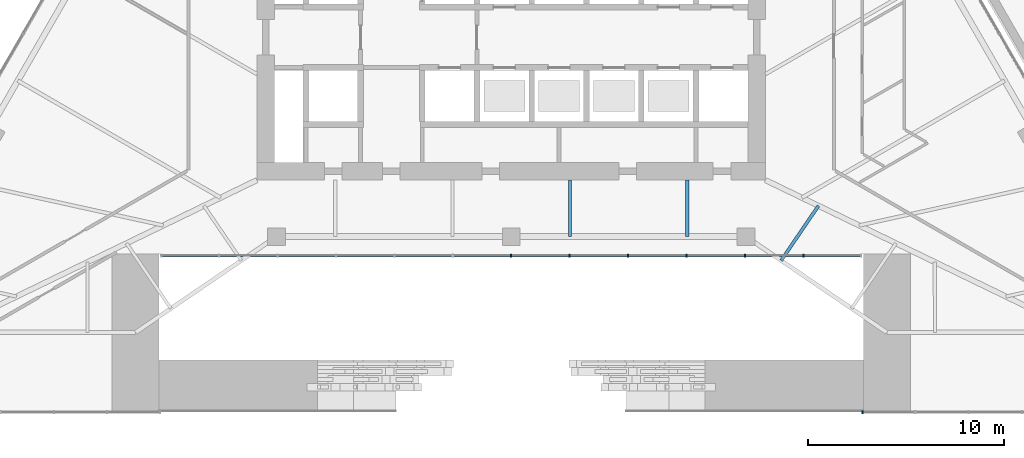
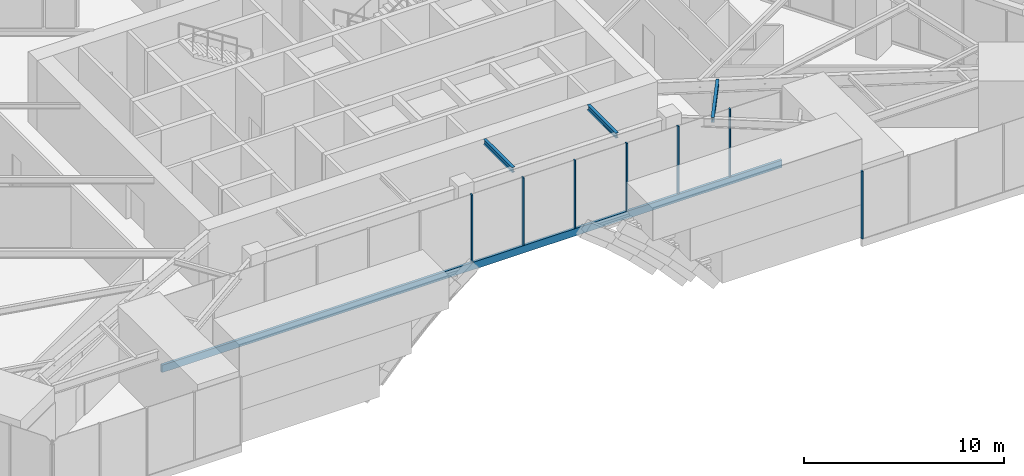
# One storey, part 5 of 23: 8 members, 3 beams, 2 elements without a shape of their own.
"""IFC4 building model written with IfcOpenShell, lengths in metres."""

from ifc_helpers import new_model, si_unit, direction, frame, origin, origin_2d, place, context, subcontext, project, spatial, rectangle, i_section, extrude, material, layer, layer_set, material_profile, profile_set, type_object, element, aggregate, save


model = new_model("IFC4")

# Units and contexts
model_context = context("Model", 3, precision=1e-05, world=origin(), true_north=direction((0.0, 1.0)))
body_context = subcontext(model_context, "Body", "Model", "MODEL_VIEW")
ifc_project = project(units=[si_unit("LENGTHUNIT", "METRE"), si_unit("AREAUNIT", "SQUARE_METRE"), si_unit("VOLUMEUNIT", "CUBIC_METRE"), si_unit("PLANEANGLEUNIT", "RADIAN"), si_unit("MASSUNIT", "GRAM", prefix="KILO")], contexts=[model_context])

# Site, building, storey
site_placement = place(None, origin())
site = spatial("IfcSite", under=ifc_project, at=site_placement, CompositionType="ELEMENT")
building_placement = place(site_placement, origin())
building = spatial("IfcBuilding", under=site, at=building_placement, Name="Firuza Gate Tower and Library", CompositionType="ELEMENT")
storey_placement = place(building_placement, frame((0.0, 0.0, 21.800048828125)))
storey = spatial("IfcBuildingStorey", under=building, at=storey_placement, Name="L04", CompositionType="ELEMENT", Elevation=21.800048828125)

# Curtain wall, members
ifc_material_1 = material(Name="Aluminium 6063-T6", Category="aluminium")
ifc_layer_1 = layer(ifc_material_1, 0.14990234375)
ifc_layer_set_1 = layer_set([ifc_layer_1], Name="Stick curtain wall, gate lobby")
curtain_wall_type_1 = type_object("IfcCurtainWallType", Name="Stick curtain wall, gate lobby", PredefinedType="NOTDEFINED", material=ifc_layer_set_1)
placement = place(storey_placement, origin())
curtain_wall_1 = element("IfcCurtainWall", 1, at=placement, inside=storey, type_object=curtain_wall_type_1, Name="CW7 L04 gate lobby", PredefinedType="NOTDEFINED")
ifc_material_2 = material(Name="Aluminium 6063-T6", Category="aluminium")
ifc_material_profile_1 = material_profile(ifc_material_2, rectangle(XDim=0.14990234375, YDim=0.080078125, at=origin_2d()))
ifc_profile_set_1 = profile_set([ifc_material_profile_1], Name="Aluminium 6063-T6")
member_type_1 = type_object("IfcMemberType", Name="Curtain wall mullion 80x150", PredefinedType="MULLION", material=ifc_profile_set_1)
member_1_placement = place(storey_placement, frame((75.0, 62.140380859375, 0.14990234375), z_axis=(0.0, 0.0, 1.0), x_axis=(0.0, 1.0, 0.0)))
member_1 = element("IfcMember", 2, at=member_1_placement, type_object=member_type_1, Name="Mullion", PredefinedType="MULLION", context=body_context, shape_type="SweptSolid", body=[
    extrude(rectangle(XDim=0.14990234375, YDim=0.080078125, at=origin_2d()), origin(), (0.0, 0.0, 1.0), 4.150146484375),
])
member_2_placement = place(storey_placement, frame((77.987548828125, 62.140380859375, 0.14990234375), z_axis=(0.0, 0.0, 1.0), x_axis=(0.0, 1.0, 0.0)))
member_2 = element("IfcMember", 3, at=member_2_placement, type_object=member_type_1, Name="Mullion", PredefinedType="MULLION", context=body_context, shape_type="SweptSolid", body=[
    extrude(rectangle(XDim=0.14990234375, YDim=0.080078125, at=origin_2d()), origin(), (0.0, 0.0, 1.0), 4.150146484375),
])
member_3_placement = place(storey_placement, frame((80.97509765625, 62.140380859375, 0.14990234375), z_axis=(0.0, 0.0, 1.0), x_axis=(0.0, 1.0, 0.0)))
member_3 = element("IfcMember", 4, at=member_3_placement, type_object=member_type_1, Name="Mullion", PredefinedType="MULLION", context=body_context, shape_type="SweptSolid", body=[
    extrude(rectangle(XDim=0.14990234375, YDim=0.080078125, at=origin_2d()), origin(), (0.0, 0.0, 1.0), 4.150146484375),
])
member_4_placement = place(storey_placement, frame((83.96240234375, 62.140380859375, 0.14990234375), z_axis=(0.0, 0.0, 1.0), x_axis=(0.0, 1.0, 0.0)))
member_4 = element("IfcMember", 5, at=member_4_placement, type_object=member_type_1, Name="Mullion", PredefinedType="MULLION", context=body_context, shape_type="SweptSolid", body=[
    extrude(rectangle(XDim=0.14990234375, YDim=0.080078125, at=origin_2d()), origin(), (0.0, 0.0, 1.0), 4.150146484375),
])
member_5_placement = place(storey_placement, frame((86.949951171875, 62.140380859375, 0.14990234375), z_axis=(0.0, 0.0, 1.0), x_axis=(0.0, 1.0, 0.0)))
member_5 = element("IfcMember", 6, at=member_5_placement, type_object=member_type_1, Name="Mullion", PredefinedType="MULLION", context=body_context, shape_type="SweptSolid", body=[
    extrude(rectangle(XDim=0.14990234375, YDim=0.080078125, at=origin_2d()), origin(), (0.0, 0.0, 1.0), 4.150146484375),
])
member_6_placement = place(storey_placement, frame((89.9375, 62.140380859375, 0.14990234375), z_axis=(0.0, 0.0, 1.0), x_axis=(0.0, 1.0, 0.0)))
member_6 = element("IfcMember", 7, at=member_6_placement, type_object=member_type_1, Name="Mullion", PredefinedType="MULLION", context=body_context, shape_type="SweptSolid", body=[
    extrude(rectangle(XDim=0.14990234375, YDim=0.080078125, at=origin_2d()), origin(), (0.0, 0.0, 1.0), 4.150146484375),
])

# Curtain wall, member
ifc_material_3 = material(Name="Aluminium 6063-T6", Category="aluminium")
ifc_layer_2 = layer(ifc_material_3, 0.14990234375)
ifc_layer_set_2 = layer_set([ifc_layer_2], Name="Stick curtain wall, podium")
curtain_wall_type_2 = type_object("IfcCurtainWallType", Name="Stick curtain wall, podium", PredefinedType="NOTDEFINED", material=ifc_layer_set_2)
curtain_wall_2 = element("IfcCurtainWall", 8, at=placement, inside=storey, type_object=curtain_wall_type_2, Name="CW5 L04 S", PredefinedType="NOTDEFINED")
member_7_placement = place(storey_placement, frame((92.965087890625, 54.140380859375, 0.14990234375), z_axis=(0.0, 0.0, 1.0), x_axis=(0.0, 1.0, 0.0)))
member_7 = element("IfcMember", 9, at=member_7_placement, type_object=member_type_1, Name="Mullion", PredefinedType="MULLION", context=body_context, shape_type="SweptSolid", body=[
    extrude(rectangle(XDim=0.14990234375, YDim=0.080078125, at=origin_2d()), origin(), (0.0, 0.0, 1.0), 4.150146484375),
])
aggregate(curtain_wall_2, [member_7])

# Member
ifc_material_4 = material(Name="Aluminium 6063-T6", Category="aluminium")
ifc_material_profile_2 = material_profile(ifc_material_4, rectangle(XDim=0.14990234375, YDim=0.449951171875, at=origin_2d()))
ifc_profile_set_2 = profile_set([ifc_material_profile_2], Name="Aluminium 6063-T6")
member_type_2 = type_object("IfcMemberType", Name="Curtain wall transom 450x150", PredefinedType="USERDEFINED", material=ifc_profile_set_2)
member_8_placement = place(storey_placement, frame((57.074951171875, 62.140380859375, -0.074951171875), z_axis=(1.0, 0.0, 0.0), x_axis=(0.0, 1.0, 0.0)))
member_8 = element("IfcMember", 10, at=member_8_placement, type_object=member_type_2, Name="Transom", ObjectType="TRANSOM", PredefinedType="USERDEFINED", context=body_context, shape_type="SweptSolid", body=[
    extrude(rectangle(XDim=0.14990234375, YDim=0.449951171875, at=origin_2d()), origin(), (0.0, 0.0, 1.0), 35.85009765625),
])

aggregate(curtain_wall_1, [member_1, member_2, member_3, member_4, member_5, member_6, member_8])

# Beams
ifc_material_5 = material(Name="Steel S355", Category="steel")
ifc_material_profile_3 = material_profile(ifc_material_5, i_section(OverallWidth=0.1650390625, OverallDepth=0.31005859375, WebThickness=0.005859375, FlangeThickness=0.009765625, at=origin_2d()))
ifc_profile_set_3 = profile_set([ifc_material_profile_3], Name="Steel S355")
beam_type = type_object("IfcBeamType", Name="W310x39 Floor beam", PredefinedType="JOIST", material=ifc_profile_set_3)
for number, where, z_axis, x_axis, name in (
    (11, (78.0, 63.115478515625, 4.14501953125), (0.0, 1.0, 0.0), (-1.0, 0.0, 0.0), "Floor beam L04 s32"),
    (12, (84.0, 63.115478515625, 4.14501953125), (0.0, 1.0, 0.0), (-1.0, 0.0, 0.0), "Floor beam L04 s33"),
):
    element("IfcBeam", number, at=place(storey_placement, frame(where, z_axis=z_axis, x_axis=x_axis)), inside=storey, type_object=beam_type, Name=name, PredefinedType="JOIST", context=body_context, shape_type="SweptSolid", body=[
        extrude(i_section(OverallWidth=0.1650390625, OverallDepth=0.31005859375, WebThickness=0.005859375, FlangeThickness=0.009765625, at=origin_2d()), origin(), (0.0, 0.0, 1.0), 2.884521484375),
    ])
beam_placement = place(storey_placement, frame((88.800048828125, 61.890380859375, 4.14501953125), z_axis=(0.562593933168, 0.826733370781, 0.0), x_axis=(-0.826733370781, 0.562593933168, 0.0)))
element("IfcBeam", 13, at=beam_placement, inside=storey, type_object=beam_type, Name="Floor beam L04 s40", PredefinedType="JOIST", context=body_context, shape_type="SweptSolid", body=[
    extrude(i_section(OverallWidth=0.1650390625, OverallDepth=0.31005859375, WebThickness=0.005859375, FlangeThickness=0.009765625, at=origin_2d()), origin(), (0.0, 0.0, 1.0), 3.386474609375),
])

save(model, "model.ifc")
